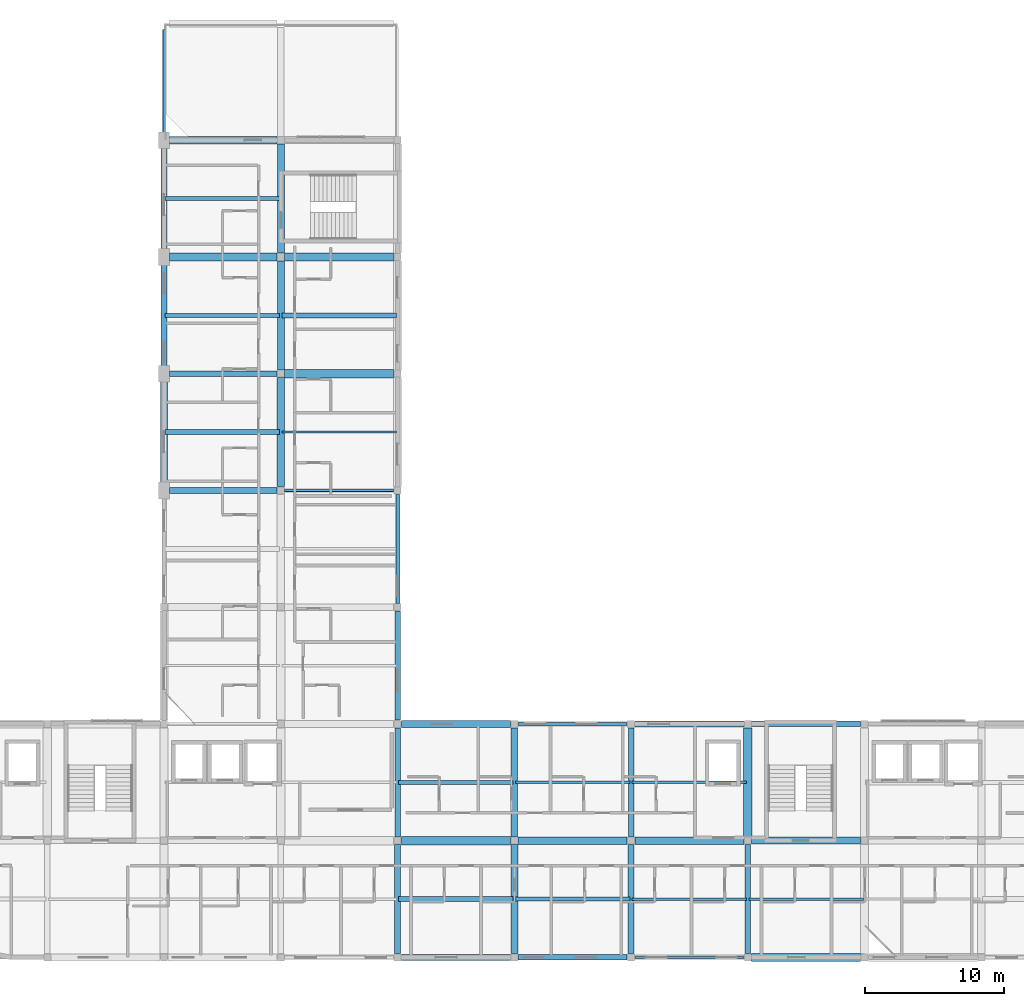
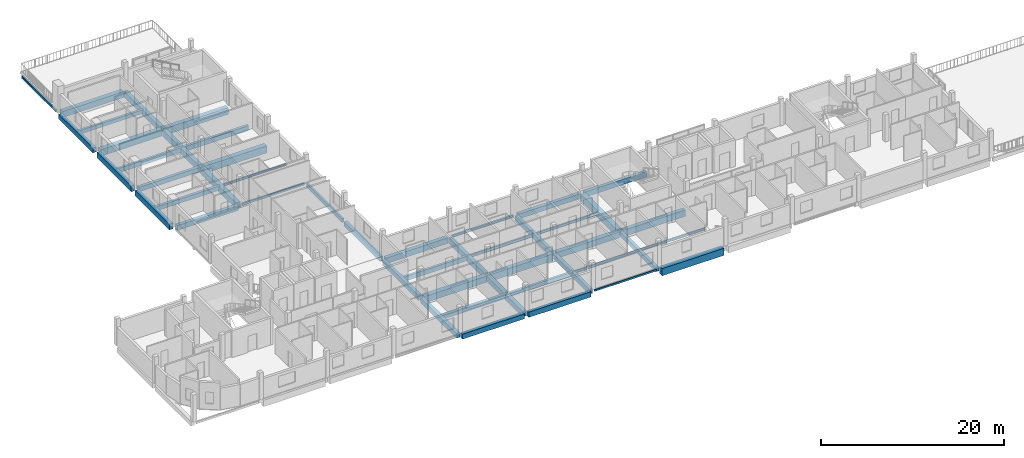
# One storey, part 3 of 20: 48 beams.
"""IFC4 building model written with IfcOpenShell, lengths in metres."""

from ifc_helpers import new_model, si_unit, derived_unit, direction, frame, origin, origin_2d, place, context, subcontext, project, spatial, rectangle, hollow_rectangle, i_section, extrude, material, material_profile, profile_set, type_object, element, save


model = new_model("IFC4")

# Units and contexts
model_context = context("Model", 3, precision=1e-05, world=origin(), true_north=direction((0.0, 1.0)))
body_context = subcontext(model_context, "Body", "Model", "MODEL_VIEW")
ifc_project = project(units=[si_unit("LENGTHUNIT", "METRE"), si_unit("AREAUNIT", "SQUARE_METRE"), si_unit("VOLUMEUNIT", "CUBIC_METRE"), si_unit("PLANEANGLEUNIT", "RADIAN"), si_unit("MASSUNIT", "GRAM", prefix="KILO"), derived_unit("THERMALTRANSMITTANCEUNIT", [(si_unit("POWERUNIT", "WATT"), 1), (si_unit("LENGTHUNIT", "METRE"), -2), (si_unit("THERMODYNAMICTEMPERATUREUNIT", "KELVIN"), -1)])], contexts=[model_context])

# Site, building, storey
site_placement = place(None, origin())
site = spatial("IfcSite", under=ifc_project, at=site_placement, CompositionType="ELEMENT")
building_placement = place(site_placement, origin())
building = spatial("IfcBuilding", under=site, at=building_placement, Name="Barrovel Congress Hotel", CompositionType="ELEMENT")
storey_placement = place(building_placement, frame((0.0, 0.0, 39.89990234375)))
storey = spatial("IfcBuildingStorey", under=building, at=storey_placement, Name="L10", CompositionType="ELEMENT", Elevation=39.89990234375)

# Beams
ifc_material_1 = material(Name="Concrete C40", Category="concrete")
ifc_material_profile_1 = material_profile(ifc_material_1, rectangle(XDim=0.25, YDim=0.5, at=origin_2d()), Name="RC250x500")
ifc_profile_set_1 = profile_set([ifc_material_profile_1], Name="Concrete C40")
beam_type_1 = type_object("IfcBeamType", Name="BM-RC250x500", PredefinedType="SPANDREL", material=ifc_profile_set_1)
beam_1_placement = place(storey_placement, frame((50.39990234375, 29.675048828125, -0.469970703125), z_axis=(0.0, 1.0, 0.0), x_axis=(-1.0, 0.0, 0.0)))
element("IfcBeam", 1, at=beam_1_placement, inside=storey, type_object=beam_type_1, Name="BMY:L10:50.4:29.4-37.8", PredefinedType="SPANDREL", context=body_context, shape_type="SweptSolid", body=[
    extrude(rectangle(XDim=0.25, YDim=0.5, at=origin_2d()), origin(), (0.0, 0.0, 1.0), 7.849853515625),
])
ifc_material_profile_2 = material_profile(ifc_material_1, rectangle(XDim=0.300048828125, YDim=0.5, at=origin_2d()), Name="RC300x500")
ifc_profile_set_2 = profile_set([ifc_material_profile_2], Name="Concrete C40")
beam_type_2 = type_object("IfcBeamType", Name="BM-RC300x500", PredefinedType="JOIST", material=ifc_profile_set_2)
beam_2_placement = place(storey_placement, frame((33.679931640625, 58.800048828125, -0.469970703125), z_axis=(1.0, 0.0, 0.0), x_axis=(0.0, 1.0, 0.0)))
element("IfcBeam", 2, at=beam_2_placement, inside=storey, type_object=beam_type_2, Name="JST:L10:33.6:58.8", PredefinedType="JOIST", context=body_context, shape_type="SweptSolid", body=[
    extrude(rectangle(XDim=0.300048828125, YDim=0.5, at=origin_2d()), origin(), (0.0, 0.0, 1.0), 8.239990234375),
])
beam_3_placement = place(storey_placement, frame((58.8798828125, 8.39990234375, -0.469970703125), z_axis=(1.0, 0.0, 0.0), x_axis=(0.0, 1.0, 0.0)))
element("IfcBeam", 3, at=beam_3_placement, inside=storey, type_object=beam_type_2, Name="JST:L10:58.8:8.4", PredefinedType="JOIST", context=body_context, shape_type="SweptSolid", body=[
    extrude(rectangle(XDim=0.300048828125, YDim=0.5, at=origin_2d()), origin(), (0.0, 0.0, 1.0), 8.240234375),
])
ifc_material_profile_3 = material_profile(ifc_material_1, rectangle(XDim=0.300048828125, YDim=0.60009765625, at=origin_2d()), Name="RC300x600")
ifc_profile_set_3 = profile_set([ifc_material_profile_3], Name="Concrete C40")
beam_type_3 = type_object("IfcBeamType", Name="BM-RC300x600", PredefinedType="JOIST", material=ifc_profile_set_3)
for number, where, z_axis, x_axis, name in (
    (4, (33.679931640625, 50.39990234375, -0.52001953125), (1.0, 0.0, 0.0), (0.0, 1.0, 0.0), "JST:L10:33.6:50.4"),
    (5, (50.47998046875, 16.800048828125, -0.52001953125), (1.0, 0.0, 0.0), (0.0, 1.0, 0.0), "JST:L10:50.4:16.8"),
):
    element("IfcBeam", number, at=place(storey_placement, frame(where, z_axis=z_axis, x_axis=x_axis)), inside=storey, type_object=beam_type_3, Name=name, PredefinedType="JOIST", context=body_context, shape_type="SweptSolid", body=[
        extrude(rectangle(XDim=0.300048828125, YDim=0.60009765625, at=origin_2d()), origin(), (0.0, 0.0, 1.0), 8.239990234375),
    ])
ifc_material_profile_4 = material_profile(ifc_material_1, rectangle(XDim=0.35009765625, YDim=0.550048828125, at=origin_2d()), Name="RC350x550")
ifc_profile_set_4 = profile_set([ifc_material_profile_4], Name="Concrete C40")
beam_type_4 = type_object("IfcBeamType", Name="BM-RC350x550", PredefinedType="JOIST", material=ifc_profile_set_4)
for number, where, z_axis, x_axis, name in (
    (6, (33.679931640625, 42.0, -0.494873046875), (1.0, 0.0, 0.0), (0.0, 1.0, 0.0), "JST:L10:33.6:42.0"),
    (7, (50.47998046875, 8.39990234375, -0.494873046875), (1.0, 0.0, 0.0), (0.0, 1.0, 0.0), "JST:L10:50.4:8.4"),
):
    element("IfcBeam", number, at=place(storey_placement, frame(where, z_axis=z_axis, x_axis=x_axis)), inside=storey, type_object=beam_type_4, Name=name, PredefinedType="JOIST", context=body_context, shape_type="SweptSolid", body=[
        extrude(rectangle(XDim=0.35009765625, YDim=0.550048828125, at=origin_2d()), origin(), (0.0, 0.0, 1.0), 8.239990234375),
    ])
ifc_material_profile_5 = material_profile(ifc_material_1, rectangle(XDim=0.35009765625, YDim=0.64990234375, at=origin_2d()), Name="RC350x650")
ifc_profile_set_5 = profile_set([ifc_material_profile_5], Name="Concrete C40")
beam_type_5 = type_object("IfcBeamType", Name="BM-RC350x650", PredefinedType="JOIST", material=ifc_profile_set_5)
beam_4_placement = place(storey_placement, frame((42.080078125, 50.39990234375, -0.544921875), z_axis=(1.0, 0.0, 0.0), x_axis=(0.0, 1.0, 0.0)))
element("IfcBeam", 8, at=beam_4_placement, inside=storey, type_object=beam_type_5, Name="JST:L10:42.0:50.4", PredefinedType="JOIST", context=body_context, shape_type="SweptSolid", body=[
    extrude(rectangle(XDim=0.35009765625, YDim=0.64990234375, at=origin_2d()), origin(), (0.0, 0.0, 1.0), 8.239990234375),
])
ifc_material_profile_6 = material_profile(ifc_material_1, rectangle(XDim=0.39990234375, YDim=0.60009765625, at=origin_2d()), Name="RC400x600")
ifc_profile_set_6 = profile_set([ifc_material_profile_6], Name="Concrete C40")
beam_type_6 = type_object("IfcBeamType", Name="BM-RC400x600", PredefinedType="BEAM", material=ifc_profile_set_6)
beam_5_placement = place(storey_placement, frame((34.0, 46.199951171875, -0.52001953125), z_axis=(1.0, 0.0, 0.0), x_axis=(0.0, 1.0, 0.0)))
element("IfcBeam", 9, at=beam_5_placement, inside=storey, type_object=beam_type_6, Name="BMX:L10:46.2:33.6-42.0", PredefinedType="BEAM", context=body_context, shape_type="SweptSolid", body=[
    extrude(rectangle(XDim=0.39990234375, YDim=0.60009765625, at=origin_2d()), origin(), (0.0, 0.0, 1.0), 7.72509765625),
])
beam_6_placement = place(storey_placement, frame((50.39990234375, 21.27490234375, -0.52001953125), z_axis=(0.0, 1.0, 0.0), x_axis=(-1.0, 0.0, 0.0)))
element("IfcBeam", 10, at=beam_6_placement, inside=storey, type_object=beam_type_6, Name="BMY:L10:50.4:21.0-29.4", PredefinedType="BEAM", context=body_context, shape_type="SweptSolid", body=[
    extrude(rectangle(XDim=0.39990234375, YDim=0.60009765625, at=origin_2d()), origin(), (0.0, 0.0, 1.0), 7.85009765625),
])
beam_7_placement = place(storey_placement, frame((75.60009765625, 4.47509765625, -0.52001953125), z_axis=(0.0, 1.0, 0.0), x_axis=(-1.0, 0.0, 0.0)))
element("IfcBeam", 11, at=beam_7_placement, inside=storey, type_object=beam_type_6, Name="BMY:L10:75.6:4.2-12.6", PredefinedType="BEAM", context=body_context, shape_type="SweptSolid", body=[
    extrude(rectangle(XDim=0.39990234375, YDim=0.60009765625, at=origin_2d()), origin(), (0.0, 0.0, 1.0), 7.849853515625),
])
ifc_material_profile_7 = material_profile(ifc_material_1, rectangle(XDim=0.39990234375, YDim=0.699951171875, at=origin_2d()), Name="RC400x700")
ifc_profile_set_7 = profile_set([ifc_material_profile_7], Name="Concrete C40")
beam_type_7 = type_object("IfcBeamType", Name="BM-RC400x700", PredefinedType="BEAM", material=ifc_profile_set_7)
for number, where, z_axis, x_axis, name in (
    (12, (59.074951171875, 4.199951171875, -0.56982421875), (1.0, 0.0, 0.0), (0.0, 1.0, 0.0), "BMX:L10:4.2:58.8-67.2"),
    (13, (75.875, 21.0, -0.56982421875), (1.0, 0.0, 0.0), (0.0, 1.0, 0.0), "BMX:L10:21.0:75.6-84.0"),
    (14, (50.39990234375, 12.875, -0.56982421875), (0.0, 1.0, 0.0), (-1.0, 0.0, 0.0), "BMY:L10:50.4:12.6-21.0"),
    (15, (67.199951171875, 12.875, -0.56982421875), (0.0, 1.0, 0.0), (-1.0, 0.0, 0.0), "BMY:L10:67.2:12.6-21.0"),
):
    element("IfcBeam", number, at=place(storey_placement, frame(where, z_axis=z_axis, x_axis=x_axis)), inside=storey, type_object=beam_type_7, Name=name, PredefinedType="BEAM", context=body_context, shape_type="SweptSolid", body=[
        extrude(rectangle(XDim=0.39990234375, YDim=0.699951171875, at=origin_2d()), origin(), (0.0, 0.0, 1.0), 7.85009765625),
    ])
ifc_material_profile_8 = material_profile(ifc_material_1, rectangle(XDim=0.449951171875, YDim=0.64990234375, at=origin_2d()), Name="RC450x650")
ifc_profile_set_8 = profile_set([ifc_material_profile_8], Name="Concrete C40")
beam_type_8 = type_object("IfcBeamType", Name="BM-RC450x650", PredefinedType="BEAM", material=ifc_profile_set_8)
for number, where, z_axis, x_axis, name in (
    (16, (50.675048828125, 4.199951171875, -0.544921875), (1.0, 0.0, 0.0), (0.0, 1.0, 0.0), "BMX:L10:4.2:50.4-58.8"),
    (17, (67.47509765625, 21.0, -0.544921875), (1.0, 0.0, 0.0), (0.0, 1.0, 0.0), "BMX:L10:21.0:67.2-75.6"),
):
    element("IfcBeam", number, at=place(storey_placement, frame(where, z_axis=z_axis, x_axis=x_axis)), inside=storey, type_object=beam_type_8, Name=name, PredefinedType="BEAM", context=body_context, shape_type="SweptSolid", body=[
        extrude(rectangle(XDim=0.449951171875, YDim=0.64990234375, at=origin_2d()), origin(), (0.0, 0.0, 1.0), 7.849853515625),
    ])
beam_8_placement = place(storey_placement, frame((34.0, 37.800048828125, -0.544921875), z_axis=(1.0, 0.0, 0.0), x_axis=(0.0, 1.0, 0.0)))
element("IfcBeam", 18, at=beam_8_placement, inside=storey, type_object=beam_type_8, Name="BMX:L10:37.8:33.6-42.0", PredefinedType="BEAM", context=body_context, shape_type="SweptSolid", body=[
    extrude(rectangle(XDim=0.449951171875, YDim=0.64990234375, at=origin_2d()), origin(), (0.0, 0.0, 1.0), 7.72509765625),
])
beam_9_placement = place(storey_placement, frame((33.60009765625, 55.050048828125, -0.544921875), z_axis=(0.0, 1.0, 0.0), x_axis=(-1.0, 0.0, 0.0)))
element("IfcBeam", 19, at=beam_9_placement, inside=storey, type_object=beam_type_8, Name="BMY:L10:33.6:54.6-63.0", PredefinedType="BEAM", context=body_context, shape_type="SweptSolid", body=[
    extrude(rectangle(XDim=0.449951171875, YDim=0.64990234375, at=origin_2d()), origin(), (0.0, 0.0, 1.0), 7.5),
])
for number, where, z_axis, x_axis, name in (
    (20, (50.39990234375, 4.47509765625, -0.544921875), (0.0, 1.0, 0.0), (-1.0, 0.0, 0.0), "BMY:L10:50.4:4.2-12.6"),
    (21, (67.199951171875, 4.47509765625, -0.544921875), (0.0, 1.0, 0.0), (-1.0, 0.0, 0.0), "BMY:L10:67.2:4.2-12.6"),
):
    element("IfcBeam", number, at=place(storey_placement, frame(where, z_axis=z_axis, x_axis=x_axis)), inside=storey, type_object=beam_type_8, Name=name, PredefinedType="BEAM", context=body_context, shape_type="SweptSolid", body=[
        extrude(rectangle(XDim=0.449951171875, YDim=0.64990234375, at=origin_2d()), origin(), (0.0, 0.0, 1.0), 7.849853515625),
    ])
ifc_material_profile_9 = material_profile(ifc_material_1, rectangle(XDim=0.449951171875, YDim=0.75, at=origin_2d()), Name="RC450x750")
ifc_profile_set_9 = profile_set([ifc_material_profile_9], Name="Concrete C40")
beam_type_9 = type_object("IfcBeamType", Name="BM-RC450x750", PredefinedType="BEAM", material=ifc_profile_set_9)
beam_10_placement = place(storey_placement, frame((33.60009765625, 46.64990234375, -0.594970703125), z_axis=(0.0, 1.0, 0.0), x_axis=(-1.0, 0.0, 0.0)))
element("IfcBeam", 22, at=beam_10_placement, inside=storey, type_object=beam_type_9, Name="BMY:L10:33.6:46.2-54.6", PredefinedType="BEAM", context=body_context, shape_type="SweptSolid", body=[
    extrude(rectangle(XDim=0.449951171875, YDim=0.75, at=origin_2d()), origin(), (0.0, 0.0, 1.0), 7.5),
])
beam_11_placement = place(storey_placement, frame((58.800048828125, 12.875, -0.594970703125), z_axis=(0.0, 1.0, 0.0), x_axis=(-1.0, 0.0, 0.0)))
element("IfcBeam", 23, at=beam_11_placement, inside=storey, type_object=beam_type_9, Name="BMY:L10:58.8:12.6-21.0", PredefinedType="BEAM", context=body_context, shape_type="SweptSolid", body=[
    extrude(rectangle(XDim=0.449951171875, YDim=0.75, at=origin_2d()), origin(), (0.0, 0.0, 1.0), 7.85009765625),
])
ifc_material_profile_10 = material_profile(ifc_material_1, rectangle(XDim=0.5, YDim=0.75, at=origin_2d()), Name="RC500x750")
ifc_profile_set_10 = profile_set([ifc_material_profile_10], Name="Concrete C40")
beam_type_10 = type_object("IfcBeamType", Name="BM-RC500x750", PredefinedType="BEAM", material=ifc_profile_set_10)
beam_12_placement = place(storey_placement, frame((50.675048828125, 21.0, -0.594970703125), z_axis=(1.0, 0.0, 0.0), x_axis=(0.0, 1.0, 0.0)))
element("IfcBeam", 24, at=beam_12_placement, inside=storey, type_object=beam_type_10, Name="BMX:L10:21.0:50.4-58.8", PredefinedType="BEAM", context=body_context, shape_type="SweptSolid", body=[
    extrude(rectangle(XDim=0.5, YDim=0.75, at=origin_2d()), origin(), (0.0, 0.0, 1.0), 7.849853515625),
])
beam_13_placement = place(storey_placement, frame((33.60009765625, 38.25, -0.594970703125), z_axis=(0.0, 1.0, 0.0), x_axis=(-1.0, 0.0, 0.0)))
element("IfcBeam", 25, at=beam_13_placement, inside=storey, type_object=beam_type_10, Name="BMY:L10:33.6:37.8-46.2", PredefinedType="BEAM", context=body_context, shape_type="SweptSolid", body=[
    extrude(rectangle(XDim=0.5, YDim=0.75, at=origin_2d()), origin(), (0.0, 0.0, 1.0), 7.5),
])
beam_14_placement = place(storey_placement, frame((42.0, 54.875, -0.594970703125), z_axis=(0.0, 1.0, 0.0), x_axis=(-1.0, 0.0, 0.0)))
element("IfcBeam", 26, at=beam_14_placement, inside=storey, type_object=beam_type_10, Name="BMY:L10:42.0:54.6-63.0", PredefinedType="BEAM", context=body_context, shape_type="SweptSolid", body=[
    extrude(rectangle(XDim=0.5, YDim=0.75, at=origin_2d()), origin(), (0.0, 0.0, 1.0), 7.85009765625),
])
beam_15_placement = place(storey_placement, frame((58.800048828125, 4.47509765625, -0.594970703125), z_axis=(0.0, 1.0, 0.0), x_axis=(-1.0, 0.0, 0.0)))
element("IfcBeam", 27, at=beam_15_placement, inside=storey, type_object=beam_type_10, Name="BMY:L10:58.8:4.2-12.6", PredefinedType="BEAM", context=body_context, shape_type="SweptSolid", body=[
    extrude(rectangle(XDim=0.5, YDim=0.75, at=origin_2d()), origin(), (0.0, 0.0, 1.0), 7.849853515625),
])
ifc_material_profile_11 = material_profile(ifc_material_1, rectangle(XDim=0.5, YDim=0.85009765625, at=origin_2d()), Name="RC500x850")
ifc_profile_set_11 = profile_set([ifc_material_profile_11], Name="Concrete C40")
beam_type_11 = type_object("IfcBeamType", Name="BM-RC500x850", PredefinedType="BEAM", material=ifc_profile_set_11)
beam_16_placement = place(storey_placement, frame((75.875, 12.60009765625, -0.64501953125), z_axis=(1.0, 0.0, 0.0), x_axis=(0.0, 1.0, 0.0)))
element("IfcBeam", 28, at=beam_16_placement, inside=storey, type_object=beam_type_11, Name="BMX:L10:12.6:75.6-84.0", PredefinedType="BEAM", context=body_context, shape_type="SweptSolid", body=[
    extrude(rectangle(XDim=0.5, YDim=0.85009765625, at=origin_2d()), origin(), (0.0, 0.0, 1.0), 7.85009765625),
])
beam_17_placement = place(storey_placement, frame((42.0, 46.47509765625, -0.64501953125), z_axis=(0.0, 1.0, 0.0), x_axis=(-1.0, 0.0, 0.0)))
element("IfcBeam", 29, at=beam_17_placement, inside=storey, type_object=beam_type_11, Name="BMY:L10:42.0:46.2-54.6", PredefinedType="BEAM", context=body_context, shape_type="SweptSolid", body=[
    extrude(rectangle(XDim=0.5, YDim=0.85009765625, at=origin_2d()), origin(), (0.0, 0.0, 1.0), 7.849853515625),
])
ifc_material_profile_12 = material_profile(ifc_material_1, rectangle(XDim=0.550048828125, YDim=0.800048828125, at=origin_2d()), Name="RC550x800")
ifc_profile_set_12 = profile_set([ifc_material_profile_12], Name="Concrete C40")
beam_type_12 = type_object("IfcBeamType", Name="BM-RC550x800", PredefinedType="BEAM", material=ifc_profile_set_12)
beam_18_placement = place(storey_placement, frame((67.47509765625, 12.60009765625, -0.619873046875), z_axis=(1.0, 0.0, 0.0), x_axis=(0.0, 1.0, 0.0)))
element("IfcBeam", 30, at=beam_18_placement, inside=storey, type_object=beam_type_12, Name="BMX:L10:12.6:67.2-75.6", PredefinedType="BEAM", context=body_context, shape_type="SweptSolid", body=[
    extrude(rectangle(XDim=0.550048828125, YDim=0.800048828125, at=origin_2d()), origin(), (0.0, 0.0, 1.0), 7.849853515625),
])
beam_19_placement = place(storey_placement, frame((34.0, 63.0, -0.619873046875), z_axis=(1.0, 0.0, 0.0), x_axis=(0.0, 1.0, 0.0)))
element("IfcBeam", 31, at=beam_19_placement, inside=storey, type_object=beam_type_12, Name="BMX:L10:63.0:33.6-42.0", PredefinedType="BEAM", context=body_context, shape_type="SweptSolid", body=[
    extrude(rectangle(XDim=0.550048828125, YDim=0.800048828125, at=origin_2d()), origin(), (0.0, 0.0, 1.0), 7.72509765625),
])
beam_20_placement = place(storey_placement, frame((42.0, 38.074951171875, -0.619873046875), z_axis=(0.0, 1.0, 0.0), x_axis=(-1.0, 0.0, 0.0)))
element("IfcBeam", 32, at=beam_20_placement, inside=storey, type_object=beam_type_12, Name="BMY:L10:42.0:37.8-46.2", PredefinedType="BEAM", context=body_context, shape_type="SweptSolid", body=[
    extrude(rectangle(XDim=0.550048828125, YDim=0.800048828125, at=origin_2d()), origin(), (0.0, 0.0, 1.0), 7.85009765625),
])
ifc_material_profile_13 = material_profile(ifc_material_1, rectangle(XDim=0.550048828125, YDim=0.89990234375, at=origin_2d()), Name="RC550x900")
ifc_profile_set_13 = profile_set([ifc_material_profile_13], Name="Concrete C40")
beam_type_13 = type_object("IfcBeamType", Name="BM-RC550x900", PredefinedType="BEAM", material=ifc_profile_set_13)
for number, where, z_axis, x_axis, name in (
    (33, (59.074951171875, 12.60009765625, -0.669921875), (1.0, 0.0, 0.0), (0.0, 1.0, 0.0), "BMX:L10:12.6:58.8-67.2"),
    (34, (42.27490234375, 54.60009765625, -0.669921875), (1.0, 0.0, 0.0), (0.0, 1.0, 0.0), "BMX:L10:54.6:42.0-50.4"),
):
    element("IfcBeam", number, at=place(storey_placement, frame(where, z_axis=z_axis, x_axis=x_axis)), inside=storey, type_object=beam_type_13, Name=name, PredefinedType="BEAM", context=body_context, shape_type="SweptSolid", body=[
        extrude(rectangle(XDim=0.550048828125, YDim=0.89990234375, at=origin_2d()), origin(), (0.0, 0.0, 1.0), 7.85009765625),
    ])
ifc_material_profile_14 = material_profile(ifc_material_1, rectangle(XDim=0.60009765625, YDim=0.85009765625, at=origin_2d()), Name="RC600x850")
ifc_profile_set_14 = profile_set([ifc_material_profile_14], Name="Concrete C40")
beam_type_14 = type_object("IfcBeamType", Name="BM-RC600x850", PredefinedType="BEAM", material=ifc_profile_set_14)
beam_21_placement = place(storey_placement, frame((50.675048828125, 12.60009765625, -0.64501953125), z_axis=(1.0, 0.0, 0.0), x_axis=(0.0, 1.0, 0.0)))
element("IfcBeam", 35, at=beam_21_placement, inside=storey, type_object=beam_type_14, Name="BMX:L10:12.6:50.4-58.8", PredefinedType="BEAM", context=body_context, shape_type="SweptSolid", body=[
    extrude(rectangle(XDim=0.60009765625, YDim=0.85009765625, at=origin_2d()), origin(), (0.0, 0.0, 1.0), 7.849853515625),
])
beam_22_placement = place(storey_placement, frame((34.0, 54.60009765625, -0.64501953125), z_axis=(1.0, 0.0, 0.0), x_axis=(0.0, 1.0, 0.0)))
element("IfcBeam", 36, at=beam_22_placement, inside=storey, type_object=beam_type_14, Name="BMX:L10:54.6:33.6-42.0", PredefinedType="BEAM", context=body_context, shape_type="SweptSolid", body=[
    extrude(rectangle(XDim=0.60009765625, YDim=0.85009765625, at=origin_2d()), origin(), (0.0, 0.0, 1.0), 7.72509765625),
])
ifc_material_profile_15 = material_profile(ifc_material_1, rectangle(XDim=0.60009765625, YDim=0.949951171875, at=origin_2d()), Name="RC600x950")
ifc_profile_set_15 = profile_set([ifc_material_profile_15], Name="Concrete C40")
beam_type_15 = type_object("IfcBeamType", Name="BM-RC600x950", PredefinedType="BEAM", material=ifc_profile_set_15)
for number, where, z_axis, x_axis, name in (
    (37, (75.875, 4.199951171875, -0.69482421875), (1.0, 0.0, 0.0), (0.0, 1.0, 0.0), "BMX:L10:4.2:75.6-84.0"),
    (38, (42.27490234375, 46.199951171875, -0.69482421875), (1.0, 0.0, 0.0), (0.0, 1.0, 0.0), "BMX:L10:46.2:42.0-50.4"),
    (39, (75.60009765625, 12.875, -0.69482421875), (0.0, 1.0, 0.0), (-1.0, 0.0, 0.0), "BMY:L10:75.6:12.6-21.0"),
):
    element("IfcBeam", number, at=place(storey_placement, frame(where, z_axis=z_axis, x_axis=x_axis)), inside=storey, type_object=beam_type_15, Name=name, PredefinedType="BEAM", context=body_context, shape_type="SweptSolid", body=[
        extrude(rectangle(XDim=0.60009765625, YDim=0.949951171875, at=origin_2d()), origin(), (0.0, 0.0, 1.0), 7.85009765625),
    ])
ifc_material_2 = material(Name="Steel ASTM A500 Grade C", Category="steel")
ifc_material_profile_16 = material_profile(ifc_material_2, hollow_rectangle(XDim=0.15234375, YDim=0.25390625, WallThickness=0.0087890625, InnerFilletRadius=0.0087890625, OuterFilletRadius=0.017578125, at=origin_2d()), Name="HSS254x152x9.5")
ifc_profile_set_16 = profile_set([ifc_material_profile_16], Name="Steel ASTM A500 Grade C")
beam_type_16 = type_object("IfcBeamType", Name="SBM-HSS254x152x9.5", PredefinedType="SPANDREL", material=ifc_profile_set_16)
beam_23_placement = place(storey_placement, frame((67.47509765625, 4.199951171875, -0.346923828125), z_axis=(1.0, 0.0, 0.0), x_axis=(0.0, 1.0, 0.0)))
element("IfcBeam", 40, at=beam_23_placement, inside=storey, type_object=beam_type_16, Name="BMX:L10:4.2:67.2-75.6", PredefinedType="SPANDREL", context=body_context, shape_type="SweptSolid", body=[
    extrude(hollow_rectangle(XDim=0.15234375, YDim=0.25390625, WallThickness=0.0087890625, InnerFilletRadius=0.0087890625, OuterFilletRadius=0.017578125, at=origin_2d()), origin(), (0.0, 0.0, 1.0), 7.849853515625),
])
ifc_material_profile_17 = material_profile(ifc_material_2, hollow_rectangle(XDim=0.203125, YDim=0.3046875, WallThickness=0.01171875, InnerFilletRadius=0.01171875, OuterFilletRadius=0.023681640625, at=origin_2d()), Name="HSS305x203x12.7")
ifc_profile_set_17 = profile_set([ifc_material_profile_17], Name="Steel ASTM A500 Grade C")
beam_type_17 = type_object("IfcBeamType", Name="SBM-HSS305x203x12.7", PredefinedType="SPANDREL", material=ifc_profile_set_17)
beam_24_placement = place(storey_placement, frame((42.27490234375, 37.800048828125, -0.372314453125), z_axis=(1.0, 0.0, 0.0), x_axis=(0.0, 1.0, 0.0)))
element("IfcBeam", 41, at=beam_24_placement, inside=storey, type_object=beam_type_17, Name="BMX:L10:37.8:42.0-50.4", PredefinedType="SPANDREL", context=body_context, shape_type="SweptSolid", body=[
    extrude(hollow_rectangle(XDim=0.203125, YDim=0.3046875, WallThickness=0.01171875, InnerFilletRadius=0.01171875, OuterFilletRadius=0.023681640625, at=origin_2d()), origin(), (0.0, 0.0, 1.0), 7.85009765625),
])
beam_25_placement = place(storey_placement, frame((33.60009765625, 63.449951171875, -0.372314453125), z_axis=(0.0, 1.0, 0.0), x_axis=(-1.0, 0.0, 0.0)))
element("IfcBeam", 42, at=beam_25_placement, inside=storey, type_object=beam_type_17, Name="BMY:L10:33.6:63.0-71.4", PredefinedType="SPANDREL", context=body_context, shape_type="SweptSolid", body=[
    extrude(hollow_rectangle(XDim=0.203125, YDim=0.3046875, WallThickness=0.01171875, InnerFilletRadius=0.01171875, OuterFilletRadius=0.023681640625, at=origin_2d()), origin(), (0.0, 0.0, 1.0), 7.5),
])
ifc_material_3 = material(Name="Steel ASTM A992 Grade 50", Category="steel")
ifc_material_profile_18 = material_profile(ifc_material_3, i_section(OverallWidth=0.1650390625, OverallDepth=0.31005859375, WebThickness=0.005859375, FlangeThickness=0.009765625, FilletRadius=0.010986328125, at=origin_2d()), Name="W310x39")
ifc_profile_set_18 = profile_set([ifc_material_profile_18], Name="Steel ASTM A992 Grade 50")
beam_type_18 = type_object("IfcBeamType", Name="SBM-W310x39", PredefinedType="JOIST", material=ifc_profile_set_18)
beam_26_placement = place(storey_placement, frame((42.080078125, 42.0, -0.375), z_axis=(1.0, 0.0, 0.0), x_axis=(0.0, 1.0, 0.0)))
element("IfcBeam", 43, at=beam_26_placement, inside=storey, type_object=beam_type_18, Name="JST:L10:42.0:42.0", PredefinedType="JOIST", context=body_context, shape_type="SweptSolid", body=[
    extrude(i_section(OverallWidth=0.1650390625, OverallDepth=0.31005859375, WebThickness=0.005859375, FlangeThickness=0.009765625, FilletRadius=0.010986328125, at=origin_2d()), origin(), (0.0, 0.0, 1.0), 8.239990234375),
])
ifc_material_profile_19 = material_profile(ifc_material_3, i_section(OverallWidth=0.1669921875, OverallDepth=0.31689453125, WebThickness=0.007568359375, FlangeThickness=0.01318359375, FilletRadius=0.010986328125, at=origin_2d()), Name="W310x52")
ifc_profile_set_19 = profile_set([ifc_material_profile_19], Name="Steel ASTM A992 Grade 50")
beam_type_19 = type_object("IfcBeamType", Name="SBM-W310x52", PredefinedType="JOIST", material=ifc_profile_set_19)
beam_27_placement = place(storey_placement, frame((75.679931640625, 8.39990234375, -0.37841796875), z_axis=(1.0, 0.0, 0.0), x_axis=(0.0, 1.0, 0.0)))
element("IfcBeam", 44, at=beam_27_placement, inside=storey, type_object=beam_type_19, Name="JST:L10:75.6:8.4", PredefinedType="JOIST", context=body_context, shape_type="SweptSolid", body=[
    extrude(i_section(OverallWidth=0.1669921875, OverallDepth=0.31689453125, WebThickness=0.007568359375, FlangeThickness=0.01318359375, FilletRadius=0.010986328125, at=origin_2d()), origin(), (0.0, 0.0, 1.0), 8.239990234375),
])
ifc_material_profile_20 = material_profile(ifc_material_3, i_section(OverallWidth=0.205078125, OverallDepth=0.31005859375, WebThickness=0.009521484375, FlangeThickness=0.016357421875, FilletRadius=0.012939453125, at=origin_2d()), Name="W310x74")
ifc_profile_set_20 = profile_set([ifc_material_profile_20], Name="Steel ASTM A992 Grade 50")
beam_type_20 = type_object("IfcBeamType", Name="SBM-W310x74", PredefinedType="SPANDREL", material=ifc_profile_set_20)
beam_28_placement = place(storey_placement, frame((59.074951171875, 21.0, -0.375), z_axis=(1.0, 0.0, 0.0), x_axis=(0.0, 1.0, 0.0)))
element("IfcBeam", 45, at=beam_28_placement, inside=storey, type_object=beam_type_20, Name="BMX:L10:21.0:58.8-67.2", PredefinedType="SPANDREL", context=body_context, shape_type="SweptSolid", body=[
    extrude(i_section(OverallWidth=0.205078125, OverallDepth=0.31005859375, WebThickness=0.009521484375, FlangeThickness=0.016357421875, FilletRadius=0.012939453125, at=origin_2d()), origin(), (0.0, 0.0, 1.0), 7.85009765625),
])
ifc_material_profile_21 = material_profile(ifc_material_3, i_section(OverallWidth=0.1708984375, OverallDepth=0.35205078125, WebThickness=0.0068359375, FlangeThickness=0.009765625, FilletRadius=0.011962890625, at=origin_2d()), Name="W360x44")
ifc_profile_set_21 = profile_set([ifc_material_profile_21], Name="Steel ASTM A992 Grade 50")
beam_type_21 = type_object("IfcBeamType", Name="SBM-W360x44", PredefinedType="JOIST", material=ifc_profile_set_21)
beam_29_placement = place(storey_placement, frame((67.280029296875, 16.800048828125, -0.39599609375), z_axis=(1.0, 0.0, 0.0), x_axis=(0.0, 1.0, 0.0)))
element("IfcBeam", 46, at=beam_29_placement, inside=storey, type_object=beam_type_21, Name="JST:L10:67.2:16.8", PredefinedType="JOIST", context=body_context, shape_type="SweptSolid", body=[
    extrude(i_section(OverallWidth=0.1708984375, OverallDepth=0.35205078125, WebThickness=0.0068359375, FlangeThickness=0.009765625, FilletRadius=0.011962890625, at=origin_2d()), origin(), (0.0, 0.0, 1.0), 8.239990234375),
])
ifc_material_profile_22 = material_profile(ifc_material_3, i_section(OverallWidth=0.172119140625, OverallDepth=0.35791015625, WebThickness=0.0078125, FlangeThickness=0.01318359375, FilletRadius=0.011962890625, at=origin_2d()), Name="W360x57")
ifc_profile_set_22 = profile_set([ifc_material_profile_22], Name="Steel ASTM A992 Grade 50")
beam_type_22 = type_object("IfcBeamType", Name="SBM-W360x57", PredefinedType="JOIST", material=ifc_profile_set_22)
beam_30_placement = place(storey_placement, frame((67.280029296875, 8.39990234375, -0.39892578125), z_axis=(1.0, 0.0, 0.0), x_axis=(0.0, 1.0, 0.0)))
element("IfcBeam", 47, at=beam_30_placement, inside=storey, type_object=beam_type_22, Name="JST:L10:67.2:8.4", PredefinedType="JOIST", context=body_context, shape_type="SweptSolid", body=[
    extrude(i_section(OverallWidth=0.172119140625, OverallDepth=0.35791015625, WebThickness=0.0078125, FlangeThickness=0.01318359375, FilletRadius=0.011962890625, at=origin_2d()), origin(), (0.0, 0.0, 1.0), 8.239990234375),
])
ifc_material_profile_23 = material_profile(ifc_material_3, i_section(OverallWidth=0.177001953125, OverallDepth=0.403076171875, WebThickness=0.007568359375, FlangeThickness=0.010986328125, FilletRadius=0.011962890625, at=origin_2d()), Name="W410x53")
ifc_profile_set_23 = profile_set([ifc_material_profile_23], Name="Steel ASTM A992 Grade 50")
beam_type_23 = type_object("IfcBeamType", Name="SBM-W410x53", PredefinedType="JOIST", material=ifc_profile_set_23)
beam_31_placement = place(storey_placement, frame((58.8798828125, 16.800048828125, -0.42138671875), z_axis=(1.0, 0.0, 0.0), x_axis=(0.0, 1.0, 0.0)))
element("IfcBeam", 48, at=beam_31_placement, inside=storey, type_object=beam_type_23, Name="JST:L10:58.8:16.8", PredefinedType="JOIST", context=body_context, shape_type="SweptSolid", body=[
    extrude(i_section(OverallWidth=0.177001953125, OverallDepth=0.403076171875, WebThickness=0.007568359375, FlangeThickness=0.010986328125, FilletRadius=0.011962890625, at=origin_2d()), origin(), (0.0, 0.0, 1.0), 8.240234375),
])

save(model, "model.ifc")
